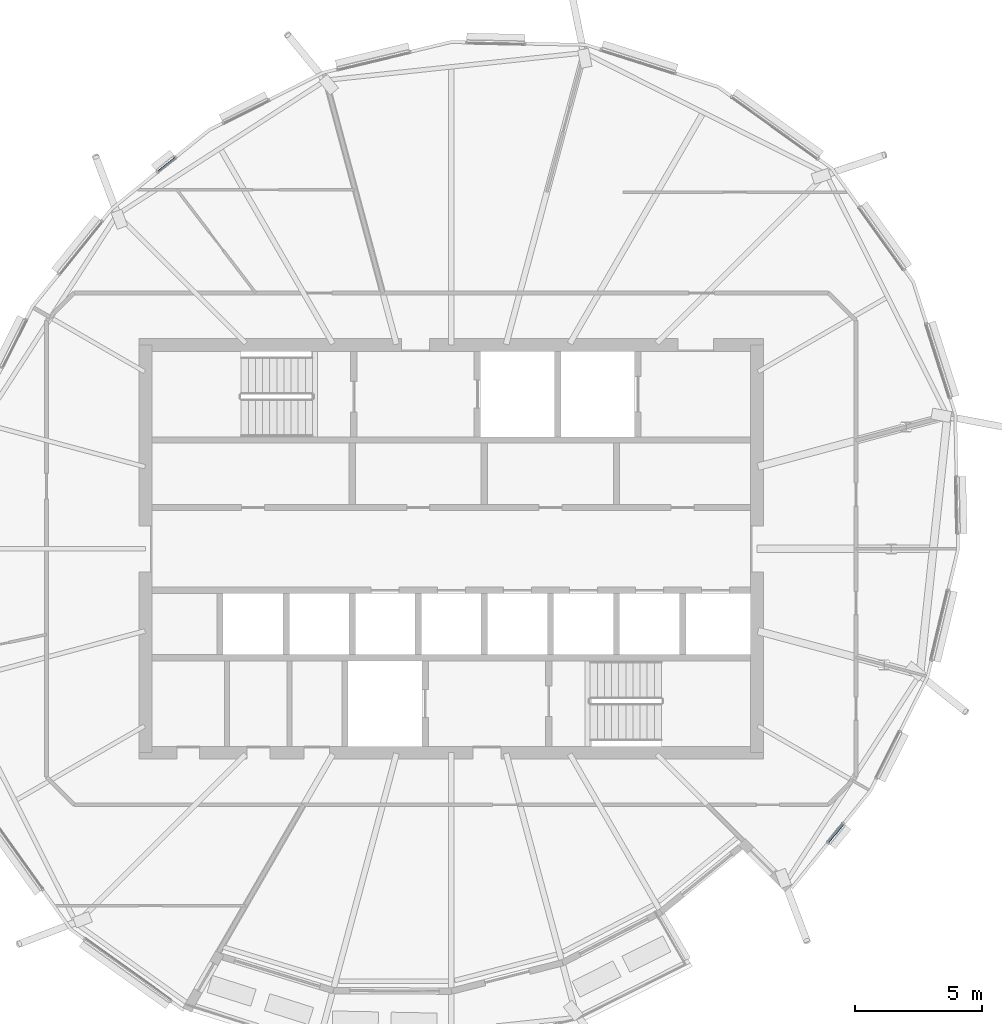
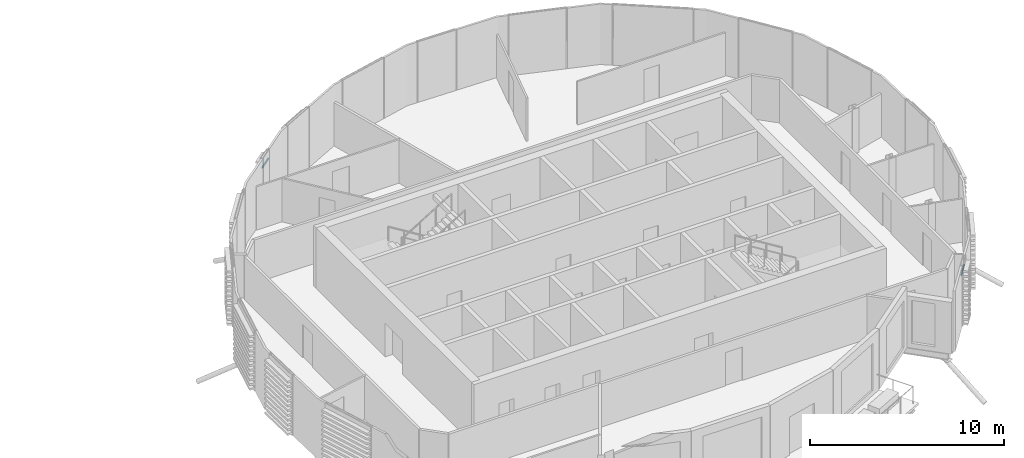
# One storey, part 17 of 41: 2 members, 1 element without a shape of its own.
"""IFC4 building model written with IfcOpenShell, lengths in metres."""

from ifc_helpers import new_model, si_unit, direction, frame, origin, origin_2d, place, context, subcontext, project, spatial, rectangle, extrude, material, material_profile, profile_set, type_object, element, aggregate, save


model = new_model("IFC4")

# Units and contexts
model_context = context("Model", 3, precision=1e-05, world=origin(), true_north=direction((0.0, 1.0)))
body_context = subcontext(model_context, "Body", "Model", "MODEL_VIEW")
ifc_project = project(units=[si_unit("LENGTHUNIT", "METRE"), si_unit("AREAUNIT", "SQUARE_METRE"), si_unit("VOLUMEUNIT", "CUBIC_METRE"), si_unit("PLANEANGLEUNIT", "RADIAN"), si_unit("MASSUNIT", "GRAM", prefix="KILO")], contexts=[model_context])

# Site, building, storey
site_placement = place(None, origin())
site = spatial("IfcSite", under=ifc_project, at=site_placement, CompositionType="ELEMENT")
building_placement = place(site_placement, origin())
building = spatial("IfcBuilding", under=site, at=building_placement, Name="Rimbun Link Towers", CompositionType="ELEMENT")
storey_placement = place(building_placement, frame((0.0, 0.0, 210.5)))
storey = spatial("IfcBuildingStorey", under=building, at=storey_placement, Name="L51", CompositionType="ELEMENT", Elevation=210.5)

# Curtain wall, members
ifc_material_1 = material(Name="Aluminium 6063-T6 and low-iron glass", Category="aluminium")
curtain_wall_type = type_object("IfcCurtainWallType", Name="CW1-Z4 unitised vision wall (zone 4)", PredefinedType="NOTDEFINED", material=ifc_material_1)
curtain_wall_placement = place(storey_placement, origin())
curtain_wall = element("IfcCurtainWall", 1, at=curtain_wall_placement, inside=storey, type_object=curtain_wall_type, Name="CW1 L51 T2", PredefinedType="NOTDEFINED")
ifc_material_2 = material(Name="Aluminium 6063-T6", Category="aluminium")
ifc_material_profile = material_profile(ifc_material_2, rectangle(XDim=0.06005859375, YDim=0.1201171875, at=origin_2d()), Name="TRANSOM 60X120")
ifc_profile_set = profile_set([ifc_material_profile], Name="Aluminium 6063-T6")
member_type = type_object("IfcMemberType", Name="CW1 transom 60X120", PredefinedType="USERDEFINED", material=ifc_profile_set)
member_1_placement = place(storey_placement, frame((20.228271484375, 14.807373046875, 3.199951171875), z_axis=(0.777257982113, 0.629182031881, 0.0), x_axis=(-0.629182031881, 0.777257982113, 0.0)))
member_1 = element("IfcMember", 2, at=member_1_placement, type_object=member_type, Name="CW1 transom", ObjectType="TRANSOM", PredefinedType="USERDEFINED", context=body_context, shape_type="SweptSolid", body=[
    extrude(rectangle(XDim=0.06005859375, YDim=0.1201171875, at=origin_2d()), origin(), (0.0, 0.0, 1.0), 0.8671875),
])
member_2_placement = place(storey_placement, frame((47.13427734375, -10.80859375, 3.199951171875), z_axis=(-0.62893786628, -0.777455568093, 0.0), x_axis=(0.777455568093, -0.62893786628, 0.0)))
member_2 = element("IfcMember", 3, at=member_2_placement, type_object=member_type, Name="CW1 transom", ObjectType="TRANSOM", PredefinedType="USERDEFINED", context=body_context, shape_type="SweptSolid", body=[
    extrude(rectangle(XDim=0.06005859375, YDim=0.1201171875, at=origin_2d()), origin(), (0.0, 0.0, 1.0), 0.917236328125),
])
aggregate(curtain_wall, [member_1, member_2])

save(model, "model.ifc")
